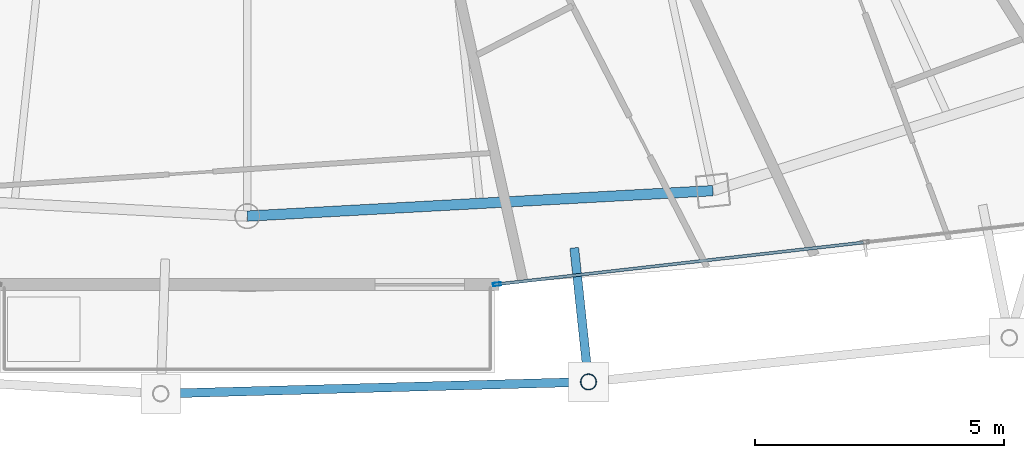
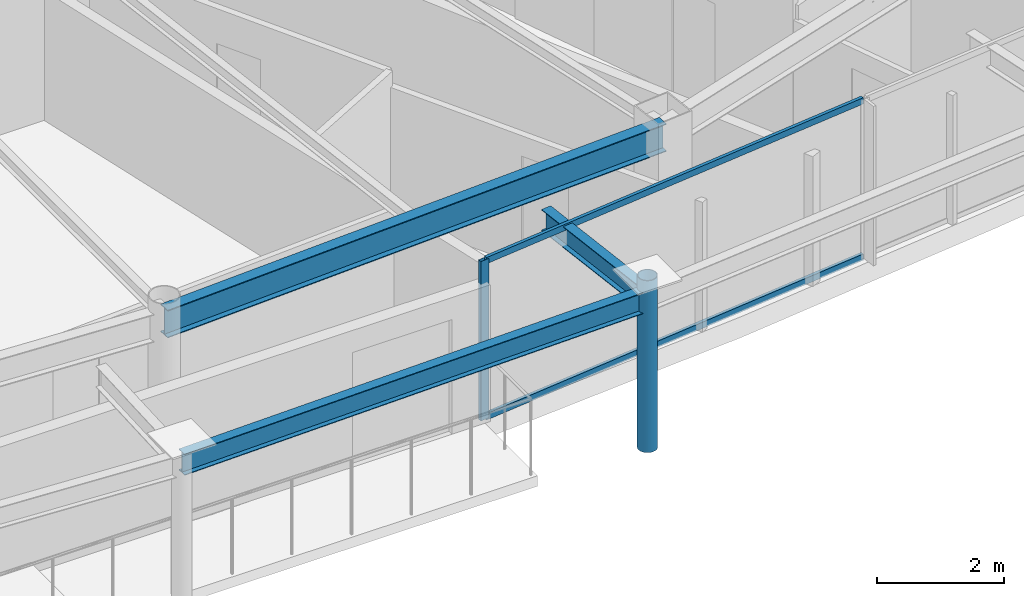
# One storey, part 8 of 29: 4 members, 3 beams, 1 element without a shape of its own.
"""IFC4 building model written with IfcOpenShell, lengths in metres."""

import ifcopenshell
import ifcopenshell.guid

model = None  # the IFC model being written
_history = None  # IfcOwnerHistory: only IFC2X3 demands one
_inside = {}  # id of a spatial element -> (the spatial element, [elements in it])
_under = {}  # id of a project, library or spatial element -> (it, [spatial elements below it])
_declared = {}  # id of a project -> (the project, [libraries it declares])
_typed = {}  # id of a type object -> (the type object, [elements of that type])
_made_of = {}  # id of a material, layer set ... -> (it, [elements and type objects made of it])


def new_model(schema):
    """Start an empty IFC model of exactly this schema.

    Asked for "IFC4X3", IfcOpenShell would pick the latest addendum, in which some entities
    have other attributes; the version numbers below select the first issue.
    IFC2X3 requires an IfcOwnerHistory on every rooted entity: one is made here for all.
    """
    global model, _history
    if schema == "IFC4X3":
        model = ifcopenshell.file(schema_version=(4, 3, 0, 0))
    else:
        model = ifcopenshell.file(schema=schema)
    _inside.clear()
    _under.clear()
    _declared.clear()
    _typed.clear()
    _made_of.clear()
    _history = None
    if model.schema == "IFC2X3":
        org = make("IfcOrganization", Name="unknown")
        user = make(
            "IfcPersonAndOrganization",
            ThePerson=make("IfcPerson", FamilyName="unknown"),
            TheOrganization=org,
        )
        app = make(
            "IfcApplication",
            ApplicationDeveloper=org,
            Version="unknown",
            ApplicationFullName="unknown",
            ApplicationIdentifier="unknown",
        )
        _history = make(
            "IfcOwnerHistory",
            OwningUser=user,
            OwningApplication=app,
            ChangeAction="ADDED",
            CreationDate=0,
        )
    return model


def make(cls, **values):
    """One entity of the class cls with the attributes given. An attribute that is None is left unset."""
    return model.create_entity(
        cls, **{name: value for name, value in values.items() if value is not None}
    )


def rooted(cls, **values):
    """An entity with a GlobalId (a new one), such as an element, a storey or a relation."""
    return make(cls, GlobalId=ifcopenshell.guid.new(), OwnerHistory=_history, **values)


def si_unit(unit_type, name, prefix=None):
    """IfcSIUnit, for example si_unit("LENGTHUNIT", "METRE", prefix="MILLI")."""
    return make("IfcSIUnit", UnitType=unit_type, Prefix=prefix, Name=name)


def assignment(units):
    """IfcUnitAssignment: the units of a project."""
    return None if units is None else make("IfcUnitAssignment", Units=units)


def point(xyz):
    """IfcCartesianPoint."""
    return None if xyz is None else make("IfcCartesianPoint", Coordinates=xyz)


def direction(xyz):
    """IfcDirection."""
    return None if xyz is None else make("IfcDirection", DirectionRatios=xyz)


def frame(location, z_axis=None, x_axis=None):
    """IfcAxis2Placement3D, a coordinate frame: its origin and axes. An axis left out is left unset."""
    return make(
        "IfcAxis2Placement3D",
        Location=point(location),
        Axis=direction(z_axis),
        RefDirection=direction(x_axis),
    )


def frame_2d(location, x_axis=None):
    """IfcAxis2Placement2D, a coordinate frame in the plane: its origin and x axis."""
    return make(
        "IfcAxis2Placement2D", Location=point(location), RefDirection=direction(x_axis)
    )


def origin():
    """The frame at (0, 0, 0) with its axes left unset."""
    return frame((0.0, 0.0, 0.0))


def origin_2d():
    """The frame at (0, 0) in the plane with its x axis left unset."""
    return frame_2d((0.0, 0.0))


def place(relative_to, where):
    """IfcLocalPlacement: puts the frame where relative to a parent placement (None: the world)."""
    return make(
        "IfcLocalPlacement", PlacementRelTo=relative_to, RelativePlacement=where
    )


def context(
    kind, dimensions, precision=None, world=None, true_north=None, identifier=None
):
    """IfcGeometricRepresentationContext, for example the 3D "Model" context."""
    return make(
        "IfcGeometricRepresentationContext",
        ContextIdentifier=identifier,
        ContextType=kind,
        CoordinateSpaceDimension=dimensions,
        Precision=precision,
        WorldCoordinateSystem=world,
        TrueNorth=true_north,
    )


def subcontext(parent, identifier, kind, view, scale=None):
    """IfcGeometricRepresentationSubContext, for example "Body" below "Model"."""
    return make(
        "IfcGeometricRepresentationSubContext",
        ContextIdentifier=identifier,
        ContextType=kind,
        ParentContext=parent,
        TargetScale=scale,
        TargetView=view,
    )


def project(units=None, contexts=None):
    """IfcProject with its units and contexts."""
    return rooted(
        "IfcProject",
        Name="project",
        RepresentationContexts=contexts,
        UnitsInContext=assignment(units),
    )


def spatial(cls, under=None, at=None, **own):
    """A site, building, storey or space (cls), placed at a placement, below another one or the project."""
    s = rooted(cls, ObjectPlacement=at, **own)
    if under is not None:
        _under.setdefault(under.id(), (under, []))[1].append(s)
    return s


def profile(cls, at=None, kind="AREA", **sizes):
    """A parametric profile (cls). Its sizes go by their IFC names, for example OverallWidth=200.0."""
    return make(cls, ProfileType=kind, Position=at, **sizes)


def hollow_rectangle(**sizes):
    """IfcRectangleHollowProfileDef."""
    return profile("IfcRectangleHollowProfileDef", **sizes)


def hollow_circle(**sizes):
    """IfcCircleHollowProfileDef."""
    return profile("IfcCircleHollowProfileDef", **sizes)


def i_section(**sizes):
    """IfcIShapeProfileDef."""
    return profile("IfcIShapeProfileDef", **sizes)


def extrude(swept, where, along, depth):
    """IfcExtrudedAreaSolid: the profile swept, set in the frame where, extruded along a direction by depth."""
    return make(
        "IfcExtrudedAreaSolid",
        SweptArea=swept,
        Position=where,
        ExtrudedDirection=direction(along),
        Depth=depth,
    )


def shape(context_of_items, identifier, shape_type, items):
    """IfcShapeRepresentation: the items that make up one representation, for example the "Body"."""
    return make(
        "IfcShapeRepresentation",
        ContextOfItems=context_of_items,
        RepresentationIdentifier=identifier,
        RepresentationType=shape_type,
        Items=items,
    )


def material(Name=None, Category=None):
    """IfcMaterial."""
    return make("IfcMaterial", Name=Name, Category=Category)


def layer(
    of_material, thickness, ventilated=None, Name=None, Category=None, Priority=None
):
    """IfcMaterialLayer: one layer of a wall or slab, of a material (None: an air gap)."""
    return make(
        "IfcMaterialLayer",
        Material=of_material,
        LayerThickness=thickness,
        IsVentilated=ventilated,
        Name=Name,
        Category=Category,
        Priority=Priority,
    )


def layer_set(layers, Name=None):
    """IfcMaterialLayerSet."""
    return make("IfcMaterialLayerSet", MaterialLayers=layers, LayerSetName=Name)


def material_profile(
    of_material, cross_section, Name=None, Category=None, Priority=None
):
    """IfcMaterialProfile: a cross section and its material."""
    return make(
        "IfcMaterialProfile",
        Name=Name,
        Material=of_material,
        Profile=cross_section,
        Priority=Priority,
        Category=Category,
    )


def profile_set(profiles, Name=None, composite=None):
    """IfcMaterialProfileSet."""
    return make(
        "IfcMaterialProfileSet",
        Name=Name,
        MaterialProfiles=profiles,
        CompositeProfile=composite,
    )


def made_of(thing, what):
    """Note that an element or type object is made of a material, layer set ...; save() writes the relation."""
    if what is not None:
        _made_of.setdefault(what.id(), (what, []))[1].append(thing)
    return thing


def type_object(cls, material=None, **own):
    """A type object (cls), such as IfcWallType, which elements share."""
    return made_of(rooted(cls, **own), material)


def element(
    cls,
    number,
    at=None,
    inside=None,
    cuts=None,
    type_object=None,
    material=None,
    context=None,
    identifier="Body",
    shape_type=None,
    held_by="IfcProductDefinitionShape",
    body=None,
    shapes=None,
    **own,
):
    """One element of the class cls, such as IfcWall. Its Tag is "e" and its number.

    at: its placement. inside: the storey or other place that contains it. cuts: it is an
    opening in that element (IfcRelVoidsElement). A single representation is given by context,
    identifier, shape_type and body (its items); several are given by shapes. held_by: the class
    of the entity that holds the representations. save() writes the other relations.
    """
    e = rooted(cls, Tag="e%d" % number, ObjectPlacement=at, **own)
    if body is not None:
        shapes = [shape(context, identifier, shape_type, body)]
    if shapes is not None:
        e.Representation = make(held_by, Representations=shapes)
    if inside is not None:
        _inside.setdefault(inside.id(), (inside, []))[1].append(e)
    if cuts is not None:
        rooted(
            "IfcRelVoidsElement", RelatingBuildingElement=cuts, RelatedOpeningElement=e
        )
    if type_object is not None:
        _typed.setdefault(type_object.id(), (type_object, []))[1].append(e)
    return made_of(e, material)


def aggregate(whole, parts):
    """IfcRelAggregates: a whole, such as a stair, and the parts it consists of."""
    return rooted("IfcRelAggregates", RelatingObject=whole, RelatedObjects=parts)


def save(model, path):
    """Write the relations noted so far, then the file.

    IfcRelAggregates (storeys below a building ...), IfcRelContainedInSpatialStructure (elements
    in a storey), IfcRelDefinesByType, IfcRelAssociatesMaterial and IfcRelDeclares: one each for
    every whole, place, type object, material and project.
    """
    for whole, parts in _under.values():
        aggregate(whole, parts)
    for where, things in _inside.values():
        rooted(
            "IfcRelContainedInSpatialStructure",
            RelatedElements=things,
            RelatingStructure=where,
        )
    for kind, things in _typed.values():
        rooted("IfcRelDefinesByType", RelatedObjects=things, RelatingType=kind)
    for what, things in _made_of.values():
        rooted("IfcRelAssociatesMaterial", RelatedObjects=things, RelatingMaterial=what)
    for by, libraries in _declared.values():
        rooted("IfcRelDeclares", RelatingContext=by, RelatedDefinitions=libraries)
    model.write(path)


model = new_model("IFC4")

# Units and contexts
model_context = context("Model", 3, precision=1e-05, world=origin(), true_north=direction((0.0, 1.0)))
body_context = subcontext(model_context, "Body", "Model", "MODEL_VIEW")
ifc_project = project(units=[si_unit("LENGTHUNIT", "METRE"), si_unit("AREAUNIT", "SQUARE_METRE"), si_unit("VOLUMEUNIT", "CUBIC_METRE"), si_unit("PLANEANGLEUNIT", "RADIAN"), si_unit("MASSUNIT", "GRAM", prefix="KILO")], contexts=[model_context])

# Site, building, storey
site_placement = place(None, origin())
site = spatial("IfcSite", under=ifc_project, at=site_placement, CompositionType="ELEMENT")
building_placement = place(site_placement, origin())
building = spatial("IfcBuilding", under=site, at=building_placement, Name="Orvanel Arch Residences", CompositionType="ELEMENT")
storey_placement = place(building_placement, frame((0.0, 0.0, 256.85009765625)))
storey = spatial("IfcBuildingStorey", under=building, at=storey_placement, Name="L73", CompositionType="ELEMENT", Elevation=256.85009765625)

# Curtain wall, member
ifc_material_1 = material(Name="Bronze-anodised aluminium AA6063-T6", Category="aluminium")
ifc_layer = layer(ifc_material_1, 0.175048828125)
ifc_layer_set = layer_set([ifc_layer], Name="Bronze-anodised aluminium AA6063-T6")
curtain_wall_type = type_object("IfcCurtainWallType", Name="CW4-HI-SYS", PredefinedType="NOTDEFINED", material=ifc_layer_set)
curtain_wall_placement = place(storey_placement, origin())
curtain_wall = element("IfcCurtainWall", 1, at=curtain_wall_placement, inside=storey, type_object=curtain_wall_type, Name="L73 CW4-HI-SYS Unitised Curtain Wall", PredefinedType="NOTDEFINED")
ifc_material_profile_1 = material_profile(ifc_material_1, hollow_rectangle(XDim=0.06494140625, YDim=0.159912109375, WallThickness=0.00390625, at=origin_2d()), Name="ALU160x65x4")
ifc_profile_set_1 = profile_set([ifc_material_profile_1], Name="Bronze-anodised aluminium AA6063-T6")
member_type_1 = type_object("IfcMemberType", Name="MUL-160x65", PredefinedType="MULLION", material=ifc_profile_set_1)
member_1_placement = place(storey_placement, frame((38.01318359375, 5.4755859375, 0.0), z_axis=(0.0, 0.0, 1.0), x_axis=(-0.113259630878, 0.993565426136, 0.0)))
member_1 = element("IfcMember", 2, at=member_1_placement, type_object=member_type_1, Name="CW-S4 mullion 1", PredefinedType="MULLION", context=body_context, shape_type="SweptSolid", body=[
    extrude(hollow_rectangle(XDim=0.06494140625, YDim=0.159912109375, WallThickness=0.00390625, at=origin_2d()), origin(), (0.0, 0.0, 1.0), 3.059814453125),
])

# Beams
ifc_material_2 = material(Name="Structural steel AS/NZS 3679.1 Grade 300 (300 MPa)", Category="steel")
ifc_material_profile_2 = material_profile(ifc_material_2, i_section(OverallWidth=0.177978515625, OverallDepth=0.406005859375, WebThickness=0.0078125, FlangeThickness=0.0126953125, at=origin_2d()), Name="410UB59.7")
ifc_profile_set_2 = profile_set([ifc_material_profile_2], Name="Structural steel AS/NZS 3679.1 Grade 300 (300 MPa)")
beam_type_1 = type_object("IfcBeamType", Name="OB-410UB-EXT", PredefinedType="SPANDREL", material=ifc_profile_set_2)
beam_1_placement = place(storey_placement, frame((31.260986328125, 3.278076171875, 2.85693359375), z_axis=(0.999620289848, 0.027554965505, 0.0), x_axis=(-0.027554965505, 0.999620289848, 0.0)))
element("IfcBeam", 3, at=beam_1_placement, inside=storey, type_object=beam_type_1, Name="L73 Outer Perimeter Floor Ring Beam 06", PredefinedType="SPANDREL", context=body_context, shape_type="SweptSolid", body=[
    extrude(i_section(OverallWidth=0.177978515625, OverallDepth=0.406005859375, WebThickness=0.0078125, FlangeThickness=0.0126953125, at=origin_2d()), origin(), (0.0, 0.0, 1.0), 8.59423828125),
])
beam_2_placement = place(storey_placement, frame((39.56591796875, 6.20703125, 2.85693359375), z_axis=(0.105689295786, -0.994399201908, 0.0), x_axis=(0.994399201908, 0.105689295786, 0.0)))
element("IfcBeam", 4, at=beam_2_placement, inside=storey, type_object=beam_type_1, Name="L73 Outer Frame Radial Tie Beam 07", PredefinedType="SPANDREL", context=body_context, shape_type="SweptSolid", body=[
    extrude(i_section(OverallWidth=0.177978515625, OverallDepth=0.406005859375, WebThickness=0.0078125, FlangeThickness=0.0126953125, at=origin_2d()), origin(), (0.0, 0.0, 1.0), 2.707275390625),
])
ifc_material_profile_3 = material_profile(ifc_material_2, i_section(OverallWidth=0.208984375, OverallDepth=0.532958984375, WebThickness=0.01025390625, FlangeThickness=0.015625, at=origin_2d()), Name="530UB92.4")
ifc_profile_set_3 = profile_set([ifc_material_profile_3], Name="Structural steel AS/NZS 3679.1 Grade 300 (300 MPa)")
beam_type_2 = type_object("IfcBeamType", Name="SP-530UB", PredefinedType="SPANDREL", material=ifc_profile_set_3)
beam_3_placement = place(storey_placement, frame((33.0, 6.843994140625, 2.7939453125), z_axis=(0.998510315598, 0.054563262768, 0.0), x_axis=(-0.054563262768, 0.998510315598, 0.0)))
element("IfcBeam", 5, at=beam_3_placement, inside=storey, type_object=beam_type_2, Name="L73 Perimeter Spandrel Beam 04", PredefinedType="SPANDREL", context=body_context, shape_type="SweptSolid", body=[
    extrude(i_section(OverallWidth=0.208984375, OverallDepth=0.532958984375, WebThickness=0.01025390625, FlangeThickness=0.015625, at=origin_2d()), origin(), (0.0, 0.0, 1.0), 9.364990234375),
])

# Member
ifc_material_3 = material(Name="Structural steel AS/NZS 1163 C350L0 (Grade 350)", Category="steel")
ifc_material_profile_4 = material_profile(ifc_material_3, hollow_circle(Radius=0.162109375, WallThickness=0.0126953125, at=origin_2d()), Name="CHS324x12.7")
ifc_profile_set_4 = profile_set([ifc_material_profile_4], Name="Structural steel AS/NZS 1163 C350L0 (Grade 350)")
member_type_2 = type_object("IfcMemberType", Name="ST-324CHS-EXT", PredefinedType="STRUT", material=ifc_profile_set_4)
member_2_placement = place(storey_placement, frame((39.85205078125, 3.514892578125, 0.0), z_axis=(0.0, 0.0, 1.0), x_axis=(1.0, 0.0, 0.0)))
element("IfcMember", 6, at=member_2_placement, inside=storey, type_object=member_type_2, Name="L73 Outer Perimeter Frame Post 07", PredefinedType="STRUT", context=body_context, shape_type="SweptSolid", body=[
    extrude(hollow_circle(Radius=0.162109375, WallThickness=0.0126953125, at=origin_2d()), origin(), (0.0, 0.0, 1.0), 3.2998046875),
])

ifc_material_profile_5 = material_profile(ifc_material_1, hollow_rectangle(XDim=0.06005859375, YDim=0.1201171875, WallThickness=0.00341796875, at=origin_2d()), Name="ALU120x60x3.5")
ifc_profile_set_5 = profile_set([ifc_material_profile_5], Name="Bronze-anodised aluminium AA6063-T6")
member_type_3 = type_object("IfcMemberType", Name="TRN-120x60", PredefinedType="USERDEFINED", material=ifc_profile_set_5)
member_3_placement = place(storey_placement, frame((38.045654296875, 5.479248046875, 0.02978515625), z_axis=(0.993565082656, 0.113262644001, 0.0), x_axis=(-0.113262644001, 0.993565082656, 0.0)))
member_3 = element("IfcMember", 7, at=member_3_placement, type_object=member_type_3, Name="CW-S4 transom 1.1", ObjectType="TRANSOM", PredefinedType="USERDEFINED", context=body_context, shape_type="SweptSolid", body=[
    extrude(hollow_rectangle(XDim=0.06005859375, YDim=0.1201171875, WallThickness=0.00341796875, at=origin_2d()), origin(), (0.0, 0.0, 1.0), 7.371826171875),
])

member_4_placement = place(storey_placement, frame((38.045654296875, 5.479248046875, 3.02978515625), z_axis=(0.993565082656, 0.113262644001, 0.0), x_axis=(-0.113262644001, 0.993565082656, 0.0)))
member_4 = element("IfcMember", 8, at=member_4_placement, type_object=member_type_3, Name="CW-S4 transom 1.2", ObjectType="TRANSOM", PredefinedType="USERDEFINED", context=body_context, shape_type="SweptSolid", body=[
    extrude(hollow_rectangle(XDim=0.06005859375, YDim=0.1201171875, WallThickness=0.00341796875, at=origin_2d()), origin(), (0.0, 0.0, 1.0), 7.371826171875),
])

aggregate(curtain_wall, [member_1, member_3, member_4])

save(model, "model.ifc")
